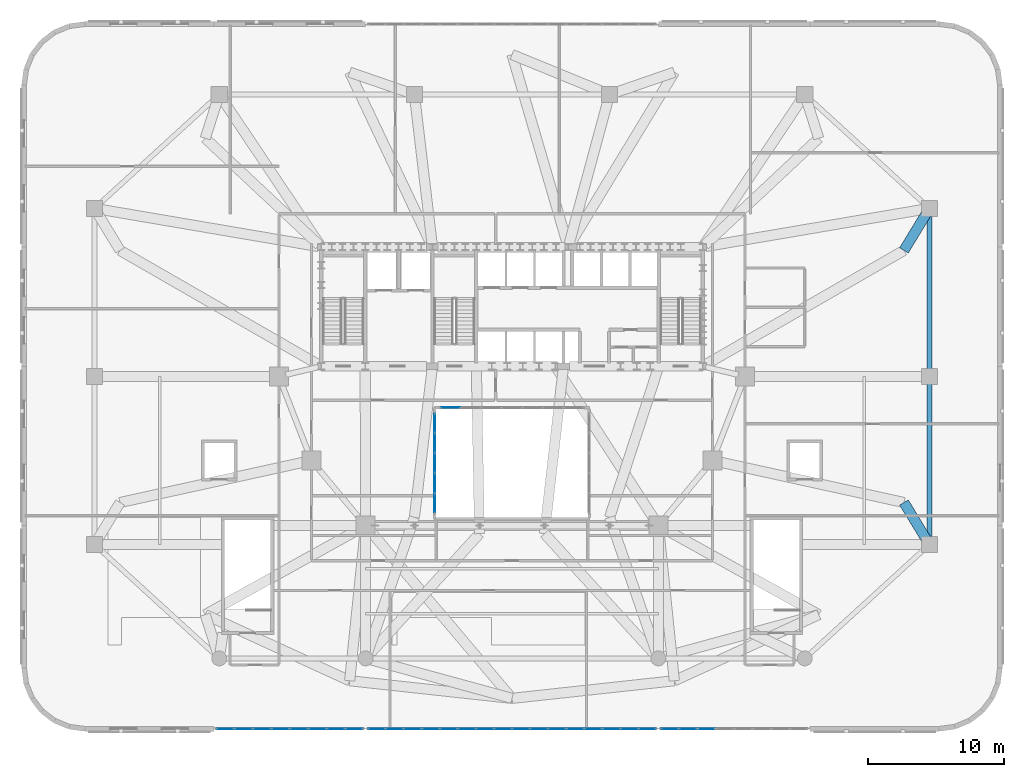
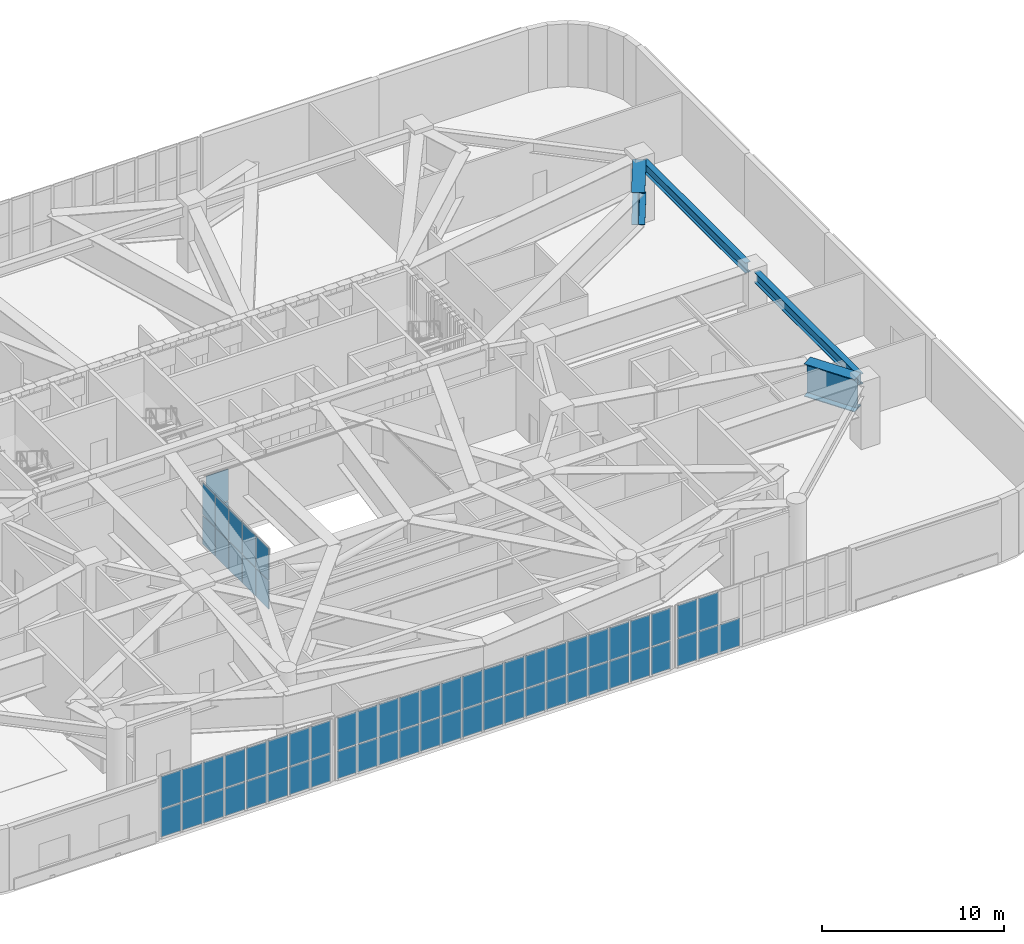
# One storey, part 12 of 26: 65 plates, 4 beams, 5 elements without a shape of their own.
"""IFC4 building model written with IfcOpenShell, lengths in metres."""

from ifc_helpers import new_model, si_unit, direction, frame, origin, origin_2d, place, context, subcontext, project, spatial, rectangle, i_section, extrude, material, layer, layer_set, material_profile, profile_set, type_object, element, aggregate, save


model = new_model("IFC4")

# Units and contexts
model_context = context("Model", 3, precision=1e-05, world=origin(), true_north=direction((0.0, 1.0)))
body_context = subcontext(model_context, "Body", "Model", "MODEL_VIEW")
ifc_project = project(units=[si_unit("LENGTHUNIT", "METRE"), si_unit("AREAUNIT", "SQUARE_METRE"), si_unit("VOLUMEUNIT", "CUBIC_METRE"), si_unit("PLANEANGLEUNIT", "RADIAN"), si_unit("MASSUNIT", "GRAM", prefix="KILO")], contexts=[model_context])

# Site, building, storey
site_placement = place(None, origin())
site = spatial("IfcSite", under=ifc_project, at=site_placement, CompositionType="ELEMENT")
building_placement = place(site_placement, origin())
building = spatial("IfcBuilding", under=site, at=building_placement, Name="Haldorwick Loom Tower", CompositionType="ELEMENT")
storey_placement = place(building_placement, frame((0.0, 0.0, 19.5)))
storey = spatial("IfcBuildingStorey", under=building, at=storey_placement, Name="L04", CompositionType="ELEMENT", Elevation=19.5)

# Beams
ifc_material_1 = material(Name="Steel CSA G40.21 350W", Category="steel")
ifc_material_profile_1 = material_profile(ifc_material_1, i_section(OverallWidth=0.35498046875, OverallDepth=0.695068359375, WebThickness=0.015380859375, FlangeThickness=0.02490234375, at=origin_2d()), Name="W690X217", Category="steel")
ifc_profile_set_1 = profile_set([ifc_material_profile_1], Name="Steel CSA G40.21 350W")
beam_type_1 = type_object("IfcBeamType", Name="STR-BM-SP690", PredefinedType="SPANDREL", material=ifc_profile_set_1)
for number, where, z_axis, x_axis, name in (
    (1, (66.800048828125, 14.080078125, 3.87255859375), (0.0, 1.0, 0.0), (-1.0, 0.0, 0.0), "L04 Podium Spandrel PSP-E1"),
    (2, (66.800048828125, 26.47998046875, 3.87255859375), (0.0, 1.0, 0.0), (-1.0, 0.0, 0.0), "L04 Podium Spandrel PSP-E2"),
):
    element("IfcBeam", number, at=place(storey_placement, frame(where, z_axis=z_axis, x_axis=x_axis)), inside=storey, type_object=beam_type_1, Name=name, PredefinedType="SPANDREL", context=body_context, shape_type="SweptSolid", body=[
        extrude(i_section(OverallWidth=0.35498046875, OverallDepth=0.695068359375, WebThickness=0.015380859375, FlangeThickness=0.02490234375, at=origin_2d()), origin(), (0.0, 0.0, 1.0), 11.43994140625),
    ])
ifc_material_2 = material(Name="Steel CSA G40.21 350WT", Category="steel")
ifc_material_profile_2 = material_profile(ifc_material_2, i_section(OverallWidth=0.75, OverallDepth=2.199951171875, WebThickness=0.030029296875, FlangeThickness=0.054931640625, at=origin_2d()), Name="WWF2200X750", Category="steel")
ifc_profile_set_2 = profile_set([ifc_material_profile_2], Name="Steel CSA G40.21 350WT")
beam_type_2 = type_object("IfcBeamType", Name="STR-BM-TG2200", PredefinedType="BEAM", material=ifc_profile_set_2)
for number, where, z_axis, x_axis, name in (
    (3, (64.91748046875, 35.29931640625, 3.1201171875), (0.518952068393, 0.854803340372, 0.0), (-0.854803340372, 0.518952068393, 0.0), "L04 Radial Transfer Girder 2 Outer"),
    (4, (64.91748046875, 16.70068359375, 3.1201171875), (0.518952068393, -0.854803340372, 0.0), (0.854803340372, 0.518952068393, 0.0), "L04 Radial Transfer Girder 16 Outer"),
):
    element("IfcBeam", number, at=place(storey_placement, frame(where, z_axis=z_axis, x_axis=x_axis)), inside=storey, type_object=beam_type_2, Name=name, PredefinedType="BEAM", context=body_context, shape_type="SweptSolid", body=[
        extrude(i_section(OverallWidth=0.75, OverallDepth=2.199951171875, WebThickness=0.030029296875, FlangeThickness=0.054931640625, at=origin_2d()), origin(), (0.0, 0.0, 1.0), 3.177490234375),
    ])

# Curtain wall, plates
ifc_material_3 = material(Name="Thermally Broken Anodized Aluminium Curtain Wall Framing", Category="aluminium")
curtain_wall_type_1 = type_object("IfcCurtainWallType", Name="ARC-CW-02", PredefinedType="NOTDEFINED", material=ifc_material_3)
curtain_wall_1_placement = place(storey_placement, origin())
curtain_wall_1 = element("IfcCurtainWall", 5, at=curtain_wall_1_placement, inside=storey, type_object=curtain_wall_type_1, Name="L04 Facade Curtain Wall CW-02 Bay 39", PredefinedType="NOTDEFINED")
ifc_material_4 = material(Name="Triple-Glazed Low-E Argon Insulated Glazing Unit", Category="glass")
ifc_layer_1 = layer(ifc_material_4, 0.0400390625, Name="Triple-Glazed Low-E Argon Insulated Glazing Unit", Category="glass")
ifc_layer_set_1 = layer_set([ifc_layer_1], Name="Triple-Glazed Low-E Argon Insulated Glazing Unit")
plate_type_1 = type_object("IfcPlateType", Name="ARC-CWP-02", PredefinedType="CURTAIN_PANEL", material=ifc_layer_set_1)
plate_1_placement = place(storey_placement, frame((14.840087890625, 0.0, 0.06982421875), z_axis=(0.0, 0.0, 1.0), x_axis=(1.0, 0.0, 0.0)))
plate_1 = element("IfcPlate", 6, at=plate_1_placement, type_object=plate_type_1, Name="CW-02 panel 1.1", PredefinedType="CURTAIN_PANEL", context=body_context, shape_type="SweptSolid", body=[
    extrude(rectangle(XDim=1.260009765625, YDim=0.0400390625, at=origin_2d()), origin(), (0.0, 0.0, 1.0), 1.844970703125),
])
plate_2_placement = place(storey_placement, frame((14.840087890625, 0.0, 1.98486328125), z_axis=(0.0, 0.0, 1.0), x_axis=(1.0, 0.0, 0.0)))
plate_2 = element("IfcPlate", 7, at=plate_2_placement, type_object=plate_type_1, Name="CW-02 panel 1.2", PredefinedType="CURTAIN_PANEL", context=body_context, shape_type="SweptSolid", body=[
    extrude(rectangle(XDim=1.260009765625, YDim=0.0400390625, at=origin_2d()), origin(), (0.0, 0.0, 1.0), 2.1650390625),
])
plate_3_placement = place(storey_placement, frame((16.1875, 0.0, 0.06982421875), z_axis=(0.0, 0.0, 1.0), x_axis=(1.0, 0.0, 0.0)))
plate_3 = element("IfcPlate", 8, at=plate_3_placement, type_object=plate_type_1, Name="CW-02 panel 2.1", PredefinedType="CURTAIN_PANEL", context=body_context, shape_type="SweptSolid", body=[
    extrude(rectangle(XDim=1.294921875, YDim=0.0400390625, at=origin_2d()), origin(), (0.0, 0.0, 1.0), 1.844970703125),
])
plate_4_placement = place(storey_placement, frame((16.1875, 0.0, 1.98486328125), z_axis=(0.0, 0.0, 1.0), x_axis=(1.0, 0.0, 0.0)))
plate_4 = element("IfcPlate", 9, at=plate_4_placement, type_object=plate_type_1, Name="CW-02 panel 2.2", PredefinedType="CURTAIN_PANEL", context=body_context, shape_type="SweptSolid", body=[
    extrude(rectangle(XDim=1.294921875, YDim=0.0400390625, at=origin_2d()), origin(), (0.0, 0.0, 1.0), 2.1650390625),
])
plate_5_placement = place(storey_placement, frame((17.552490234375, 0.0, 0.06982421875), z_axis=(0.0, 0.0, 1.0), x_axis=(1.0, 0.0, 0.0)))
plate_5 = element("IfcPlate", 10, at=plate_5_placement, type_object=plate_type_1, Name="CW-02 panel 3.1", PredefinedType="CURTAIN_PANEL", context=body_context, shape_type="SweptSolid", body=[
    extrude(rectangle(XDim=1.294921875, YDim=0.0400390625, at=origin_2d()), origin(), (0.0, 0.0, 1.0), 1.844970703125),
])
plate_6_placement = place(storey_placement, frame((17.552490234375, 0.0, 1.98486328125), z_axis=(0.0, 0.0, 1.0), x_axis=(1.0, 0.0, 0.0)))
plate_6 = element("IfcPlate", 11, at=plate_6_placement, type_object=plate_type_1, Name="CW-02 panel 3.2", PredefinedType="CURTAIN_PANEL", context=body_context, shape_type="SweptSolid", body=[
    extrude(rectangle(XDim=1.294921875, YDim=0.0400390625, at=origin_2d()), origin(), (0.0, 0.0, 1.0), 2.1650390625),
])
plate_7_placement = place(storey_placement, frame((18.91748046875, 0.0, 0.06982421875), z_axis=(0.0, 0.0, 1.0), x_axis=(1.0, 0.0, 0.0)))
plate_7 = element("IfcPlate", 12, at=plate_7_placement, type_object=plate_type_1, Name="CW-02 panel 4.1", PredefinedType="CURTAIN_PANEL", context=body_context, shape_type="SweptSolid", body=[
    extrude(rectangle(XDim=1.294921875, YDim=0.0400390625, at=origin_2d()), origin(), (0.0, 0.0, 1.0), 1.844970703125),
])
plate_8_placement = place(storey_placement, frame((18.91748046875, 0.0, 1.98486328125), z_axis=(0.0, 0.0, 1.0), x_axis=(1.0, 0.0, 0.0)))
plate_8 = element("IfcPlate", 13, at=plate_8_placement, type_object=plate_type_1, Name="CW-02 panel 4.2", PredefinedType="CURTAIN_PANEL", context=body_context, shape_type="SweptSolid", body=[
    extrude(rectangle(XDim=1.294921875, YDim=0.0400390625, at=origin_2d()), origin(), (0.0, 0.0, 1.0), 2.1650390625),
])
plate_9_placement = place(storey_placement, frame((20.282470703125, 0.0, 0.06982421875), z_axis=(0.0, 0.0, 1.0), x_axis=(1.0, 0.0, 0.0)))
plate_9 = element("IfcPlate", 14, at=plate_9_placement, type_object=plate_type_1, Name="CW-02 panel 5.1", PredefinedType="CURTAIN_PANEL", context=body_context, shape_type="SweptSolid", body=[
    extrude(rectangle(XDim=1.294921875, YDim=0.0400390625, at=origin_2d()), origin(), (0.0, 0.0, 1.0), 1.844970703125),
])
plate_10_placement = place(storey_placement, frame((20.282470703125, 0.0, 1.98486328125), z_axis=(0.0, 0.0, 1.0), x_axis=(1.0, 0.0, 0.0)))
plate_10 = element("IfcPlate", 15, at=plate_10_placement, type_object=plate_type_1, Name="CW-02 panel 5.2", PredefinedType="CURTAIN_PANEL", context=body_context, shape_type="SweptSolid", body=[
    extrude(rectangle(XDim=1.294921875, YDim=0.0400390625, at=origin_2d()), origin(), (0.0, 0.0, 1.0), 2.1650390625),
])
plate_11_placement = place(storey_placement, frame((21.6474609375, 0.0, 0.06982421875), z_axis=(0.0, 0.0, 1.0), x_axis=(1.0, 0.0, 0.0)))
plate_11 = element("IfcPlate", 16, at=plate_11_placement, type_object=plate_type_1, Name="CW-02 panel 6.1", PredefinedType="CURTAIN_PANEL", context=body_context, shape_type="SweptSolid", body=[
    extrude(rectangle(XDim=1.294921875, YDim=0.0400390625, at=origin_2d()), origin(), (0.0, 0.0, 1.0), 1.844970703125),
])
plate_12_placement = place(storey_placement, frame((21.6474609375, 0.0, 1.98486328125), z_axis=(0.0, 0.0, 1.0), x_axis=(1.0, 0.0, 0.0)))
plate_12 = element("IfcPlate", 17, at=plate_12_placement, type_object=plate_type_1, Name="CW-02 panel 6.2", PredefinedType="CURTAIN_PANEL", context=body_context, shape_type="SweptSolid", body=[
    extrude(rectangle(XDim=1.294921875, YDim=0.0400390625, at=origin_2d()), origin(), (0.0, 0.0, 1.0), 2.1650390625),
])
plate_13_placement = place(storey_placement, frame((23.012451171875, 0.0, 0.06982421875), z_axis=(0.0, 0.0, 1.0), x_axis=(1.0, 0.0, 0.0)))
plate_13 = element("IfcPlate", 18, at=plate_13_placement, type_object=plate_type_1, Name="CW-02 panel 7.1", PredefinedType="CURTAIN_PANEL", context=body_context, shape_type="SweptSolid", body=[
    extrude(rectangle(XDim=1.294921875, YDim=0.0400390625, at=origin_2d()), origin(), (0.0, 0.0, 1.0), 1.844970703125),
])
plate_14_placement = place(storey_placement, frame((23.012451171875, 0.0, 1.98486328125), z_axis=(0.0, 0.0, 1.0), x_axis=(1.0, 0.0, 0.0)))
plate_14 = element("IfcPlate", 19, at=plate_14_placement, type_object=plate_type_1, Name="CW-02 panel 7.2", PredefinedType="CURTAIN_PANEL", context=body_context, shape_type="SweptSolid", body=[
    extrude(rectangle(XDim=1.294921875, YDim=0.0400390625, at=origin_2d()), origin(), (0.0, 0.0, 1.0), 2.1650390625),
])
plate_15_placement = place(storey_placement, frame((24.360107421875, 0.0, 0.06982421875), z_axis=(0.0, 0.0, 1.0), x_axis=(1.0, 0.0, 0.0)))
plate_15 = element("IfcPlate", 20, at=plate_15_placement, type_object=plate_type_1, Name="CW-02 panel 8.1", PredefinedType="CURTAIN_PANEL", context=body_context, shape_type="SweptSolid", body=[
    extrude(rectangle(XDim=1.260009765625, YDim=0.0400390625, at=origin_2d()), origin(), (0.0, 0.0, 1.0), 1.844970703125),
])
plate_16_placement = place(storey_placement, frame((24.360107421875, 0.0, 1.98486328125), z_axis=(0.0, 0.0, 1.0), x_axis=(1.0, 0.0, 0.0)))
plate_16 = element("IfcPlate", 21, at=plate_16_placement, type_object=plate_type_1, Name="CW-02 panel 8.2", PredefinedType="CURTAIN_PANEL", context=body_context, shape_type="SweptSolid", body=[
    extrude(rectangle(XDim=1.260009765625, YDim=0.0400390625, at=origin_2d()), origin(), (0.0, 0.0, 1.0), 2.1650390625),
])
aggregate(curtain_wall_1, [plate_1, plate_2, plate_3, plate_4, plate_5, plate_6, plate_7, plate_8, plate_9, plate_10, plate_11, plate_12, plate_13, plate_14, plate_15, plate_16])

curtain_wall_2_placement = place(storey_placement, origin())
curtain_wall_2 = element("IfcCurtainWall", 22, at=curtain_wall_2_placement, inside=storey, type_object=curtain_wall_type_1, Name="L04 Facade Curtain Wall CW-02 Bay 40", PredefinedType="NOTDEFINED")
plate_17_placement = place(storey_placement, frame((26.023681640625, 0.0, 0.06982421875), z_axis=(0.0, 0.0, 1.0), x_axis=(1.0, 0.0, 0.0)))
plate_17 = element("IfcPlate", 23, at=plate_17_placement, type_object=plate_type_1, Name="CW-02 panel 1.1", PredefinedType="CURTAIN_PANEL", context=body_context, shape_type="SweptSolid", body=[
    extrude(rectangle(XDim=1.2275390625, YDim=0.0400390625, at=origin_2d()), origin(), (0.0, 0.0, 1.0), 1.844970703125),
])
plate_18_placement = place(storey_placement, frame((26.023681640625, 0.0, 1.98486328125), z_axis=(0.0, 0.0, 1.0), x_axis=(1.0, 0.0, 0.0)))
plate_18 = element("IfcPlate", 24, at=plate_18_placement, type_object=plate_type_1, Name="CW-02 panel 1.2", PredefinedType="CURTAIN_PANEL", context=body_context, shape_type="SweptSolid", body=[
    extrude(rectangle(XDim=1.2275390625, YDim=0.0400390625, at=origin_2d()), origin(), (0.0, 0.0, 1.0), 2.1650390625),
])
plate_19_placement = place(storey_placement, frame((27.3388671875, 0.0, 0.06982421875), z_axis=(0.0, 0.0, 1.0), x_axis=(1.0, 0.0, 0.0)))
plate_19 = element("IfcPlate", 25, at=plate_19_placement, type_object=plate_type_1, Name="CW-02 panel 2.1", PredefinedType="CURTAIN_PANEL", context=body_context, shape_type="SweptSolid", body=[
    extrude(rectangle(XDim=1.262451171875, YDim=0.0400390625, at=origin_2d()), origin(), (0.0, 0.0, 1.0), 1.844970703125),
])
plate_20_placement = place(storey_placement, frame((27.3388671875, 0.0, 1.98486328125), z_axis=(0.0, 0.0, 1.0), x_axis=(1.0, 0.0, 0.0)))
plate_20 = element("IfcPlate", 26, at=plate_20_placement, type_object=plate_type_1, Name="CW-02 panel 2.2", PredefinedType="CURTAIN_PANEL", context=body_context, shape_type="SweptSolid", body=[
    extrude(rectangle(XDim=1.262451171875, YDim=0.0400390625, at=origin_2d()), origin(), (0.0, 0.0, 1.0), 2.1650390625),
])
plate_21_placement = place(storey_placement, frame((28.671142578125, 0.0, 0.06982421875), z_axis=(0.0, 0.0, 1.0), x_axis=(1.0, 0.0, 0.0)))
plate_21 = element("IfcPlate", 27, at=plate_21_placement, type_object=plate_type_1, Name="CW-02 panel 3.1", PredefinedType="CURTAIN_PANEL", context=body_context, shape_type="SweptSolid", body=[
    extrude(rectangle(XDim=1.262451171875, YDim=0.0400390625, at=origin_2d()), origin(), (0.0, 0.0, 1.0), 1.844970703125),
])
plate_22_placement = place(storey_placement, frame((28.671142578125, 0.0, 1.98486328125), z_axis=(0.0, 0.0, 1.0), x_axis=(1.0, 0.0, 0.0)))
plate_22 = element("IfcPlate", 28, at=plate_22_placement, type_object=plate_type_1, Name="CW-02 panel 3.2", PredefinedType="CURTAIN_PANEL", context=body_context, shape_type="SweptSolid", body=[
    extrude(rectangle(XDim=1.262451171875, YDim=0.0400390625, at=origin_2d()), origin(), (0.0, 0.0, 1.0), 2.1650390625),
])
plate_23_placement = place(storey_placement, frame((30.003662109375, 0.0, 0.06982421875), z_axis=(0.0, 0.0, 1.0), x_axis=(1.0, 0.0, 0.0)))
plate_23 = element("IfcPlate", 29, at=plate_23_placement, type_object=plate_type_1, Name="CW-02 panel 4.1", PredefinedType="CURTAIN_PANEL", context=body_context, shape_type="SweptSolid", body=[
    extrude(rectangle(XDim=1.262451171875, YDim=0.0400390625, at=origin_2d()), origin(), (0.0, 0.0, 1.0), 1.844970703125),
])
plate_24_placement = place(storey_placement, frame((30.003662109375, 0.0, 1.98486328125), z_axis=(0.0, 0.0, 1.0), x_axis=(1.0, 0.0, 0.0)))
plate_24 = element("IfcPlate", 30, at=plate_24_placement, type_object=plate_type_1, Name="CW-02 panel 4.2", PredefinedType="CURTAIN_PANEL", context=body_context, shape_type="SweptSolid", body=[
    extrude(rectangle(XDim=1.262451171875, YDim=0.0400390625, at=origin_2d()), origin(), (0.0, 0.0, 1.0), 2.1650390625),
])
plate_25_placement = place(storey_placement, frame((31.336181640625, 0.0, 0.06982421875), z_axis=(0.0, 0.0, 1.0), x_axis=(1.0, 0.0, 0.0)))
plate_25 = element("IfcPlate", 31, at=plate_25_placement, type_object=plate_type_1, Name="CW-02 panel 5.1", PredefinedType="CURTAIN_PANEL", context=body_context, shape_type="SweptSolid", body=[
    extrude(rectangle(XDim=1.262451171875, YDim=0.0400390625, at=origin_2d()), origin(), (0.0, 0.0, 1.0), 1.844970703125),
])
plate_26_placement = place(storey_placement, frame((31.336181640625, 0.0, 1.98486328125), z_axis=(0.0, 0.0, 1.0), x_axis=(1.0, 0.0, 0.0)))
plate_26 = element("IfcPlate", 32, at=plate_26_placement, type_object=plate_type_1, Name="CW-02 panel 5.2", PredefinedType="CURTAIN_PANEL", context=body_context, shape_type="SweptSolid", body=[
    extrude(rectangle(XDim=1.262451171875, YDim=0.0400390625, at=origin_2d()), origin(), (0.0, 0.0, 1.0), 2.1650390625),
])
plate_27_placement = place(storey_placement, frame((32.668701171875, 0.0, 0.06982421875), z_axis=(0.0, 0.0, 1.0), x_axis=(1.0, 0.0, 0.0)))
plate_27 = element("IfcPlate", 33, at=plate_27_placement, type_object=plate_type_1, Name="CW-02 panel 6.1", PredefinedType="CURTAIN_PANEL", context=body_context, shape_type="SweptSolid", body=[
    extrude(rectangle(XDim=1.262451171875, YDim=0.0400390625, at=origin_2d()), origin(), (0.0, 0.0, 1.0), 1.844970703125),
])
plate_28_placement = place(storey_placement, frame((32.668701171875, 0.0, 1.98486328125), z_axis=(0.0, 0.0, 1.0), x_axis=(1.0, 0.0, 0.0)))
plate_28 = element("IfcPlate", 34, at=plate_28_placement, type_object=plate_type_1, Name="CW-02 panel 6.2", PredefinedType="CURTAIN_PANEL", context=body_context, shape_type="SweptSolid", body=[
    extrude(rectangle(XDim=1.262451171875, YDim=0.0400390625, at=origin_2d()), origin(), (0.0, 0.0, 1.0), 2.1650390625),
])
plate_29_placement = place(storey_placement, frame((34.001220703125, 0.0, 0.06982421875), z_axis=(0.0, 0.0, 1.0), x_axis=(1.0, 0.0, 0.0)))
plate_29 = element("IfcPlate", 35, at=plate_29_placement, type_object=plate_type_1, Name="CW-02 panel 7.1", PredefinedType="CURTAIN_PANEL", context=body_context, shape_type="SweptSolid", body=[
    extrude(rectangle(XDim=1.262451171875, YDim=0.0400390625, at=origin_2d()), origin(), (0.0, 0.0, 1.0), 1.844970703125),
])
plate_30_placement = place(storey_placement, frame((34.001220703125, 0.0, 1.98486328125), z_axis=(0.0, 0.0, 1.0), x_axis=(1.0, 0.0, 0.0)))
plate_30 = element("IfcPlate", 36, at=plate_30_placement, type_object=plate_type_1, Name="CW-02 panel 7.2", PredefinedType="CURTAIN_PANEL", context=body_context, shape_type="SweptSolid", body=[
    extrude(rectangle(XDim=1.262451171875, YDim=0.0400390625, at=origin_2d()), origin(), (0.0, 0.0, 1.0), 2.1650390625),
])
plate_31_placement = place(storey_placement, frame((35.333740234375, 0.0, 0.06982421875), z_axis=(0.0, 0.0, 1.0), x_axis=(1.0, 0.0, 0.0)))
plate_31 = element("IfcPlate", 37, at=plate_31_placement, type_object=plate_type_1, Name="CW-02 panel 8.1", PredefinedType="CURTAIN_PANEL", context=body_context, shape_type="SweptSolid", body=[
    extrude(rectangle(XDim=1.262451171875, YDim=0.0400390625, at=origin_2d()), origin(), (0.0, 0.0, 1.0), 1.844970703125),
])
plate_32_placement = place(storey_placement, frame((35.333740234375, 0.0, 1.98486328125), z_axis=(0.0, 0.0, 1.0), x_axis=(1.0, 0.0, 0.0)))
plate_32 = element("IfcPlate", 38, at=plate_32_placement, type_object=plate_type_1, Name="CW-02 panel 8.2", PredefinedType="CURTAIN_PANEL", context=body_context, shape_type="SweptSolid", body=[
    extrude(rectangle(XDim=1.262451171875, YDim=0.0400390625, at=origin_2d()), origin(), (0.0, 0.0, 1.0), 2.1650390625),
])
plate_33_placement = place(storey_placement, frame((36.666259765625, 0.0, 0.06982421875), z_axis=(0.0, 0.0, 1.0), x_axis=(1.0, 0.0, 0.0)))
plate_33 = element("IfcPlate", 39, at=plate_33_placement, type_object=plate_type_1, Name="CW-02 panel 9.1", PredefinedType="CURTAIN_PANEL", context=body_context, shape_type="SweptSolid", body=[
    extrude(rectangle(XDim=1.262451171875, YDim=0.0400390625, at=origin_2d()), origin(), (0.0, 0.0, 1.0), 1.844970703125),
])
plate_34_placement = place(storey_placement, frame((36.666259765625, 0.0, 1.98486328125), z_axis=(0.0, 0.0, 1.0), x_axis=(1.0, 0.0, 0.0)))
plate_34 = element("IfcPlate", 40, at=plate_34_placement, type_object=plate_type_1, Name="CW-02 panel 9.2", PredefinedType="CURTAIN_PANEL", context=body_context, shape_type="SweptSolid", body=[
    extrude(rectangle(XDim=1.262451171875, YDim=0.0400390625, at=origin_2d()), origin(), (0.0, 0.0, 1.0), 2.1650390625),
])
plate_35_placement = place(storey_placement, frame((37.998779296875, 0.0, 0.06982421875), z_axis=(0.0, 0.0, 1.0), x_axis=(1.0, 0.0, 0.0)))
plate_35 = element("IfcPlate", 41, at=plate_35_placement, type_object=plate_type_1, Name="CW-02 panel 10.1", PredefinedType="CURTAIN_PANEL", context=body_context, shape_type="SweptSolid", body=[
    extrude(rectangle(XDim=1.262451171875, YDim=0.0400390625, at=origin_2d()), origin(), (0.0, 0.0, 1.0), 1.844970703125),
])
plate_36_placement = place(storey_placement, frame((37.998779296875, 0.0, 1.98486328125), z_axis=(0.0, 0.0, 1.0), x_axis=(1.0, 0.0, 0.0)))
plate_36 = element("IfcPlate", 42, at=plate_36_placement, type_object=plate_type_1, Name="CW-02 panel 10.2", PredefinedType="CURTAIN_PANEL", context=body_context, shape_type="SweptSolid", body=[
    extrude(rectangle(XDim=1.262451171875, YDim=0.0400390625, at=origin_2d()), origin(), (0.0, 0.0, 1.0), 2.1650390625),
])
plate_37_placement = place(storey_placement, frame((39.331298828125, 0.0, 0.06982421875), z_axis=(0.0, 0.0, 1.0), x_axis=(1.0, 0.0, 0.0)))
plate_37 = element("IfcPlate", 43, at=plate_37_placement, type_object=plate_type_1, Name="CW-02 panel 11.1", PredefinedType="CURTAIN_PANEL", context=body_context, shape_type="SweptSolid", body=[
    extrude(rectangle(XDim=1.262451171875, YDim=0.0400390625, at=origin_2d()), origin(), (0.0, 0.0, 1.0), 1.844970703125),
])
plate_38_placement = place(storey_placement, frame((39.331298828125, 0.0, 1.98486328125), z_axis=(0.0, 0.0, 1.0), x_axis=(1.0, 0.0, 0.0)))
plate_38 = element("IfcPlate", 44, at=plate_38_placement, type_object=plate_type_1, Name="CW-02 panel 11.2", PredefinedType="CURTAIN_PANEL", context=body_context, shape_type="SweptSolid", body=[
    extrude(rectangle(XDim=1.262451171875, YDim=0.0400390625, at=origin_2d()), origin(), (0.0, 0.0, 1.0), 2.1650390625),
])
plate_39_placement = place(storey_placement, frame((40.663818359375, 0.0, 0.06982421875), z_axis=(0.0, 0.0, 1.0), x_axis=(1.0, 0.0, 0.0)))
plate_39 = element("IfcPlate", 45, at=plate_39_placement, type_object=plate_type_1, Name="CW-02 panel 12.1", PredefinedType="CURTAIN_PANEL", context=body_context, shape_type="SweptSolid", body=[
    extrude(rectangle(XDim=1.262451171875, YDim=0.0400390625, at=origin_2d()), origin(), (0.0, 0.0, 1.0), 1.844970703125),
])
plate_40_placement = place(storey_placement, frame((40.663818359375, 0.0, 1.98486328125), z_axis=(0.0, 0.0, 1.0), x_axis=(1.0, 0.0, 0.0)))
plate_40 = element("IfcPlate", 46, at=plate_40_placement, type_object=plate_type_1, Name="CW-02 panel 12.2", PredefinedType="CURTAIN_PANEL", context=body_context, shape_type="SweptSolid", body=[
    extrude(rectangle(XDim=1.262451171875, YDim=0.0400390625, at=origin_2d()), origin(), (0.0, 0.0, 1.0), 2.1650390625),
])
plate_41_placement = place(storey_placement, frame((41.996337890625, 0.0, 0.06982421875), z_axis=(0.0, 0.0, 1.0), x_axis=(1.0, 0.0, 0.0)))
plate_41 = element("IfcPlate", 47, at=plate_41_placement, type_object=plate_type_1, Name="CW-02 panel 13.1", PredefinedType="CURTAIN_PANEL", context=body_context, shape_type="SweptSolid", body=[
    extrude(rectangle(XDim=1.262451171875, YDim=0.0400390625, at=origin_2d()), origin(), (0.0, 0.0, 1.0), 1.844970703125),
])
plate_42_placement = place(storey_placement, frame((41.996337890625, 0.0, 1.98486328125), z_axis=(0.0, 0.0, 1.0), x_axis=(1.0, 0.0, 0.0)))
plate_42 = element("IfcPlate", 48, at=plate_42_placement, type_object=plate_type_1, Name="CW-02 panel 13.2", PredefinedType="CURTAIN_PANEL", context=body_context, shape_type="SweptSolid", body=[
    extrude(rectangle(XDim=1.262451171875, YDim=0.0400390625, at=origin_2d()), origin(), (0.0, 0.0, 1.0), 2.1650390625),
])
plate_43_placement = place(storey_placement, frame((43.328857421875, 0.0, 0.06982421875), z_axis=(0.0, 0.0, 1.0), x_axis=(1.0, 0.0, 0.0)))
plate_43 = element("IfcPlate", 49, at=plate_43_placement, type_object=plate_type_1, Name="CW-02 panel 14.1", PredefinedType="CURTAIN_PANEL", context=body_context, shape_type="SweptSolid", body=[
    extrude(rectangle(XDim=1.262451171875, YDim=0.0400390625, at=origin_2d()), origin(), (0.0, 0.0, 1.0), 1.844970703125),
])
plate_44_placement = place(storey_placement, frame((43.328857421875, 0.0, 1.98486328125), z_axis=(0.0, 0.0, 1.0), x_axis=(1.0, 0.0, 0.0)))
plate_44 = element("IfcPlate", 50, at=plate_44_placement, type_object=plate_type_1, Name="CW-02 panel 14.2", PredefinedType="CURTAIN_PANEL", context=body_context, shape_type="SweptSolid", body=[
    extrude(rectangle(XDim=1.262451171875, YDim=0.0400390625, at=origin_2d()), origin(), (0.0, 0.0, 1.0), 2.1650390625),
])
plate_45_placement = place(storey_placement, frame((44.6611328125, 0.0, 0.06982421875), z_axis=(0.0, 0.0, 1.0), x_axis=(1.0, 0.0, 0.0)))
plate_45 = element("IfcPlate", 51, at=plate_45_placement, type_object=plate_type_1, Name="CW-02 panel 15.1", PredefinedType="CURTAIN_PANEL", context=body_context, shape_type="SweptSolid", body=[
    extrude(rectangle(XDim=1.262451171875, YDim=0.0400390625, at=origin_2d()), origin(), (0.0, 0.0, 1.0), 1.844970703125),
])
plate_46_placement = place(storey_placement, frame((44.6611328125, 0.0, 1.98486328125), z_axis=(0.0, 0.0, 1.0), x_axis=(1.0, 0.0, 0.0)))
plate_46 = element("IfcPlate", 52, at=plate_46_placement, type_object=plate_type_1, Name="CW-02 panel 15.2", PredefinedType="CURTAIN_PANEL", context=body_context, shape_type="SweptSolid", body=[
    extrude(rectangle(XDim=1.262451171875, YDim=0.0400390625, at=origin_2d()), origin(), (0.0, 0.0, 1.0), 2.1650390625),
])
plate_47_placement = place(storey_placement, frame((45.976318359375, 0.0, 0.06982421875), z_axis=(0.0, 0.0, 1.0), x_axis=(1.0, 0.0, 0.0)))
plate_47 = element("IfcPlate", 53, at=plate_47_placement, type_object=plate_type_1, Name="CW-02 panel 16.1", PredefinedType="CURTAIN_PANEL", context=body_context, shape_type="SweptSolid", body=[
    extrude(rectangle(XDim=1.2275390625, YDim=0.0400390625, at=origin_2d()), origin(), (0.0, 0.0, 1.0), 1.844970703125),
])
plate_48_placement = place(storey_placement, frame((45.976318359375, 0.0, 1.98486328125), z_axis=(0.0, 0.0, 1.0), x_axis=(1.0, 0.0, 0.0)))
plate_48 = element("IfcPlate", 54, at=plate_48_placement, type_object=plate_type_1, Name="CW-02 panel 16.2", PredefinedType="CURTAIN_PANEL", context=body_context, shape_type="SweptSolid", body=[
    extrude(rectangle(XDim=1.2275390625, YDim=0.0400390625, at=origin_2d()), origin(), (0.0, 0.0, 1.0), 2.1650390625),
])
aggregate(curtain_wall_2, [plate_17, plate_18, plate_19, plate_20, plate_21, plate_22, plate_23, plate_24, plate_25, plate_26, plate_27, plate_28, plate_29, plate_30, plate_31, plate_32, plate_33, plate_34, plate_35, plate_36, plate_37, plate_38, plate_39, plate_40, plate_41, plate_42, plate_43, plate_44, plate_45, plate_46, plate_47, plate_48])

curtain_wall_3_placement = place(storey_placement, origin())
curtain_wall_3 = element("IfcCurtainWall", 55, at=curtain_wall_3_placement, inside=storey, type_object=curtain_wall_type_1, Name="L04 Facade Curtain Wall CW-02 Bay 41", PredefinedType="NOTDEFINED")
plate_49_placement = place(storey_placement, frame((47.639892578125, 0.0, 0.06982421875), z_axis=(0.0, 0.0, 1.0), x_axis=(1.0, 0.0, 0.0)))
plate_49 = element("IfcPlate", 56, at=plate_49_placement, type_object=plate_type_1, Name="CW-02 panel 1.1", PredefinedType="CURTAIN_PANEL", context=body_context, shape_type="SweptSolid", body=[
    extrude(rectangle(XDim=1.260009765625, YDim=0.0400390625, at=origin_2d()), origin(), (0.0, 0.0, 1.0), 1.844970703125),
])
plate_50_placement = place(storey_placement, frame((47.639892578125, 0.0, 1.98486328125), z_axis=(0.0, 0.0, 1.0), x_axis=(1.0, 0.0, 0.0)))
plate_50 = element("IfcPlate", 57, at=plate_50_placement, type_object=plate_type_1, Name="CW-02 panel 1.2", PredefinedType="CURTAIN_PANEL", context=body_context, shape_type="SweptSolid", body=[
    extrude(rectangle(XDim=1.260009765625, YDim=0.0400390625, at=origin_2d()), origin(), (0.0, 0.0, 1.0), 2.1650390625),
])
plate_51_placement = place(storey_placement, frame((48.987548828125, 0.0, 0.06982421875), z_axis=(0.0, 0.0, 1.0), x_axis=(1.0, 0.0, 0.0)))
plate_51 = element("IfcPlate", 58, at=plate_51_placement, type_object=plate_type_1, Name="CW-02 panel 2.1", PredefinedType="CURTAIN_PANEL", context=body_context, shape_type="SweptSolid", body=[
    extrude(rectangle(XDim=1.294921875, YDim=0.0400390625, at=origin_2d()), origin(), (0.0, 0.0, 1.0), 1.844970703125),
])
plate_52_placement = place(storey_placement, frame((48.987548828125, 0.0, 1.98486328125), z_axis=(0.0, 0.0, 1.0), x_axis=(1.0, 0.0, 0.0)))
plate_52 = element("IfcPlate", 59, at=plate_52_placement, type_object=plate_type_1, Name="CW-02 panel 2.2", PredefinedType="CURTAIN_PANEL", context=body_context, shape_type="SweptSolid", body=[
    extrude(rectangle(XDim=1.294921875, YDim=0.0400390625, at=origin_2d()), origin(), (0.0, 0.0, 1.0), 2.1650390625),
])
plate_53_placement = place(storey_placement, frame((50.3525390625, 0.0, 0.06982421875), z_axis=(0.0, 0.0, 1.0), x_axis=(1.0, 0.0, 0.0)))
plate_53 = element("IfcPlate", 60, at=plate_53_placement, type_object=plate_type_1, Name="CW-02 panel 3.1", PredefinedType="CURTAIN_PANEL", context=body_context, shape_type="SweptSolid", body=[
    extrude(rectangle(XDim=1.294921875, YDim=0.0400390625, at=origin_2d()), origin(), (0.0, 0.0, 1.0), 1.844970703125),
])
aggregate(curtain_wall_3, [plate_49, plate_50, plate_51, plate_52, plate_53])

curtain_wall_type_2 = type_object("IfcCurtainWallType", Name="ARC-CW-03", PredefinedType="NOTDEFINED", material=ifc_material_3)
curtain_wall_4_placement = place(storey_placement, origin())
curtain_wall_4 = element("IfcCurtainWall", 61, at=curtain_wall_4_placement, inside=storey, type_object=curtain_wall_type_2, Name="L04 Atrium Glazed Screen N", PredefinedType="NOTDEFINED")
ifc_layer_2 = layer(ifc_material_4, 0.04296875, Name="Triple-Glazed Low-E Argon Insulated Glazing Unit", Category="glass")
ifc_layer_set_2 = layer_set([ifc_layer_2], Name="Triple-Glazed Low-E Argon Insulated Glazing Unit")
plate_type_2 = type_object("IfcPlateType", Name="ARC-CWP-03", PredefinedType="CURTAIN_PANEL", material=ifc_layer_set_2)
plate_54_placement = place(storey_placement, frame((31.4736328125, 23.699951171875, 0.066162109375), z_axis=(0.0, 0.0, 1.0), x_axis=(1.0, 0.0, 0.0)))
plate_54 = element("IfcPlate", 62, at=plate_54_placement, type_object=plate_type_2, Name="CW-03 panel 1.1", PredefinedType="CURTAIN_PANEL", context=body_context, shape_type="SweptSolid", body=[
    extrude(rectangle(XDim=1.415283203125, YDim=0.04296875, at=origin_2d()), origin(), (0.0, 0.0, 1.0), 1.90087890625),
])
plate_55_placement = place(storey_placement, frame((31.4736328125, 23.699951171875, 2.032958984375), z_axis=(0.0, 0.0, 1.0), x_axis=(1.0, 0.0, 0.0)))
plate_55 = element("IfcPlate", 63, at=plate_55_placement, type_object=plate_type_2, Name="CW-03 panel 1.2", PredefinedType="CURTAIN_PANEL", context=body_context, shape_type="SweptSolid", body=[
    extrude(rectangle(XDim=1.415283203125, YDim=0.04296875, at=origin_2d()), origin(), (0.0, 0.0, 1.0), 2.12109375),
])
aggregate(curtain_wall_4, [plate_54, plate_55])

curtain_wall_5_placement = place(storey_placement, origin())
curtain_wall_5 = element("IfcCurtainWall", 64, at=curtain_wall_5_placement, inside=storey, type_object=curtain_wall_type_2, Name="L04 Atrium Glazed Screen W", PredefinedType="NOTDEFINED")
plate_56_placement = place(storey_placement, frame((30.300048828125, 16.656494140625, 0.066162109375), z_axis=(0.0, 0.0, 1.0), x_axis=(0.0, 1.0, 0.0)))
plate_56 = element("IfcPlate", 65, at=plate_56_placement, type_object=plate_type_2, Name="CW-03 panel 1.1", PredefinedType="CURTAIN_PANEL", context=body_context, shape_type="SweptSolid", body=[
    extrude(rectangle(XDim=1.381103515625, YDim=0.04296875, at=origin_2d()), origin(), (0.0, 0.0, 1.0), 1.90087890625),
])
plate_57_placement = place(storey_placement, frame((30.300048828125, 16.656494140625, 2.032958984375), z_axis=(0.0, 0.0, 1.0), x_axis=(0.0, 1.0, 0.0)))
plate_57 = element("IfcPlate", 66, at=plate_57_placement, type_object=plate_type_2, Name="CW-03 panel 1.2", PredefinedType="CURTAIN_PANEL", context=body_context, shape_type="SweptSolid", body=[
    extrude(rectangle(XDim=1.381103515625, YDim=0.04296875, at=origin_2d()), origin(), (0.0, 0.0, 1.0), 2.12109375),
])
plate_58_placement = place(storey_placement, frame((30.300048828125, 18.1201171875, 0.066162109375), z_axis=(0.0, 0.0, 1.0), x_axis=(0.0, 1.0, 0.0)))
plate_58 = element("IfcPlate", 67, at=plate_58_placement, type_object=plate_type_2, Name="CW-03 panel 2.1", PredefinedType="CURTAIN_PANEL", context=body_context, shape_type="SweptSolid", body=[
    extrude(rectangle(XDim=1.4140625, YDim=0.04296875, at=origin_2d()), origin(), (0.0, 0.0, 1.0), 1.90087890625),
])
plate_59_placement = place(storey_placement, frame((30.300048828125, 18.1201171875, 2.032958984375), z_axis=(0.0, 0.0, 1.0), x_axis=(0.0, 1.0, 0.0)))
plate_59 = element("IfcPlate", 68, at=plate_59_placement, type_object=plate_type_2, Name="CW-03 panel 2.2", PredefinedType="CURTAIN_PANEL", context=body_context, shape_type="SweptSolid", body=[
    extrude(rectangle(XDim=1.4140625, YDim=0.04296875, at=origin_2d()), origin(), (0.0, 0.0, 1.0), 2.12109375),
])
plate_60_placement = place(storey_placement, frame((30.300048828125, 19.60009765625, 0.066162109375), z_axis=(0.0, 0.0, 1.0), x_axis=(0.0, 1.0, 0.0)))
plate_60 = element("IfcPlate", 69, at=plate_60_placement, type_object=plate_type_2, Name="CW-03 panel 3.1", PredefinedType="CURTAIN_PANEL", context=body_context, shape_type="SweptSolid", body=[
    extrude(rectangle(XDim=1.4140625, YDim=0.04296875, at=origin_2d()), origin(), (0.0, 0.0, 1.0), 1.90087890625),
])
plate_61_placement = place(storey_placement, frame((30.300048828125, 19.60009765625, 2.032958984375), z_axis=(0.0, 0.0, 1.0), x_axis=(0.0, 1.0, 0.0)))
plate_61 = element("IfcPlate", 70, at=plate_61_placement, type_object=plate_type_2, Name="CW-03 panel 3.2", PredefinedType="CURTAIN_PANEL", context=body_context, shape_type="SweptSolid", body=[
    extrude(rectangle(XDim=1.4140625, YDim=0.04296875, at=origin_2d()), origin(), (0.0, 0.0, 1.0), 2.12109375),
])
plate_62_placement = place(storey_placement, frame((30.300048828125, 21.080078125, 0.066162109375), z_axis=(0.0, 0.0, 1.0), x_axis=(0.0, 1.0, 0.0)))
plate_62 = element("IfcPlate", 71, at=plate_62_placement, type_object=plate_type_2, Name="CW-03 panel 4.1", PredefinedType="CURTAIN_PANEL", context=body_context, shape_type="SweptSolid", body=[
    extrude(rectangle(XDim=1.4140625, YDim=0.04296875, at=origin_2d()), origin(), (0.0, 0.0, 1.0), 1.90087890625),
])
plate_63_placement = place(storey_placement, frame((30.300048828125, 21.080078125, 2.032958984375), z_axis=(0.0, 0.0, 1.0), x_axis=(0.0, 1.0, 0.0)))
plate_63 = element("IfcPlate", 72, at=plate_63_placement, type_object=plate_type_2, Name="CW-03 panel 4.2", PredefinedType="CURTAIN_PANEL", context=body_context, shape_type="SweptSolid", body=[
    extrude(rectangle(XDim=1.4140625, YDim=0.04296875, at=origin_2d()), origin(), (0.0, 0.0, 1.0), 2.12109375),
])
plate_64_placement = place(storey_placement, frame((30.300048828125, 22.54345703125, 0.066162109375), z_axis=(0.0, 0.0, 1.0), x_axis=(0.0, 1.0, 0.0)))
plate_64 = element("IfcPlate", 73, at=plate_64_placement, type_object=plate_type_2, Name="CW-03 panel 5.1", PredefinedType="CURTAIN_PANEL", context=body_context, shape_type="SweptSolid", body=[
    extrude(rectangle(XDim=1.381103515625, YDim=0.04296875, at=origin_2d()), origin(), (0.0, 0.0, 1.0), 1.90087890625),
])
plate_65_placement = place(storey_placement, frame((30.300048828125, 22.54345703125, 2.032958984375), z_axis=(0.0, 0.0, 1.0), x_axis=(0.0, 1.0, 0.0)))
plate_65 = element("IfcPlate", 74, at=plate_65_placement, type_object=plate_type_2, Name="CW-03 panel 5.2", PredefinedType="CURTAIN_PANEL", context=body_context, shape_type="SweptSolid", body=[
    extrude(rectangle(XDim=1.381103515625, YDim=0.04296875, at=origin_2d()), origin(), (0.0, 0.0, 1.0), 2.12109375),
])
aggregate(curtain_wall_5, [plate_56, plate_57, plate_58, plate_59, plate_60, plate_61, plate_62, plate_63, plate_64, plate_65])

save(model, "model.ifc")
